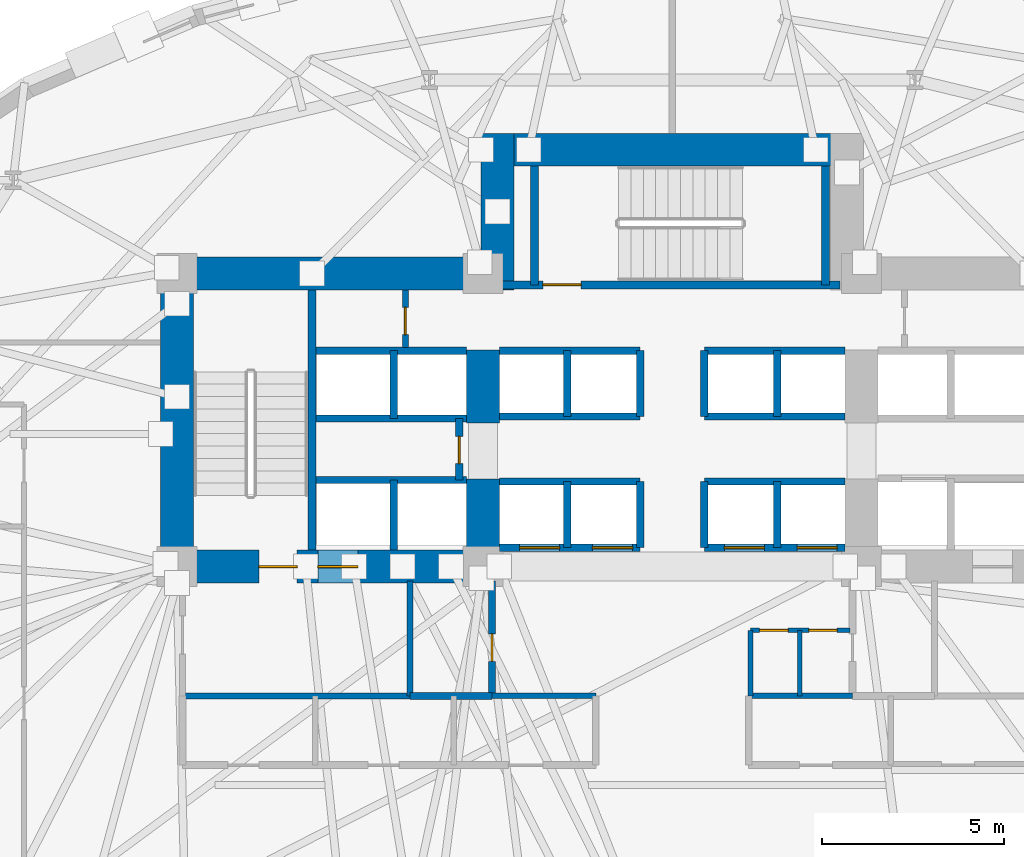
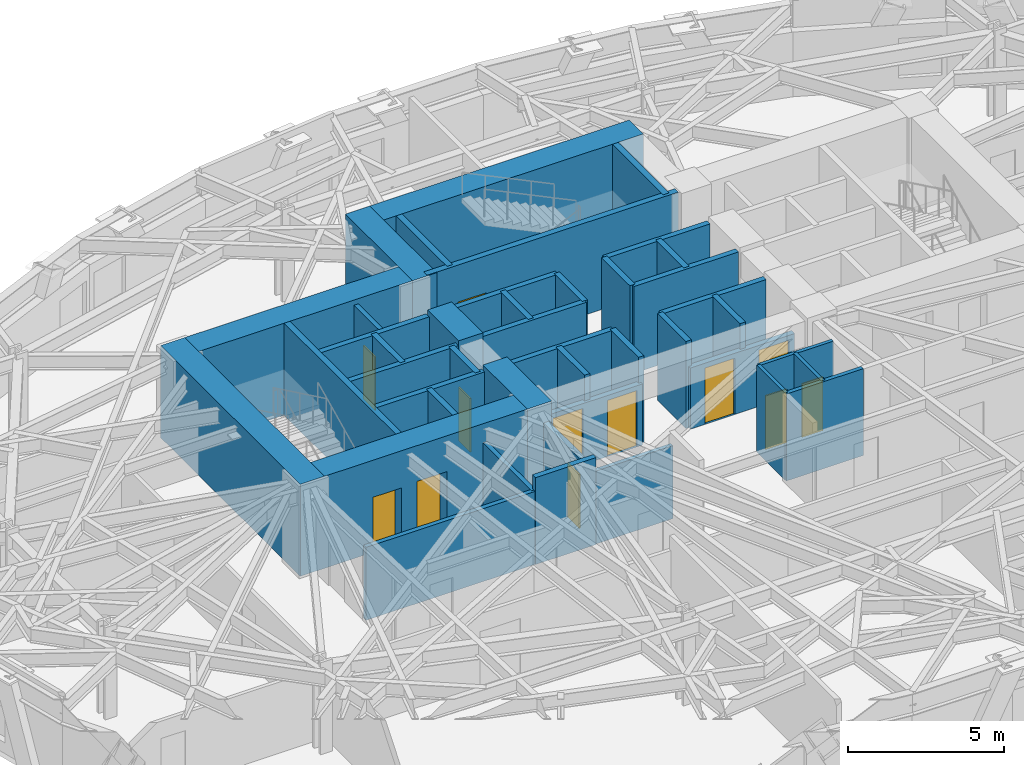
# One storey, part 7 of 14: 43 walls, 12 doors, 12 openings.
"""IFC4 building model written with IfcOpenShell, lengths in metres."""

from ifc_helpers import new_model, si_unit, direction, frame, frame_2d, origin, place, context, subcontext, project, spatial, rectangle, extrude, material, layer, layer_set, type_object, element, fill, save


model = new_model("IFC4")

# Units and contexts
model_context = context("Model", 3, precision=1e-05, world=origin(), true_north=direction((0.0, 1.0)))
body_context = subcontext(model_context, "Body", "Model", "MODEL_VIEW")
ifc_project = project(units=[si_unit("LENGTHUNIT", "METRE"), si_unit("AREAUNIT", "SQUARE_METRE"), si_unit("VOLUMEUNIT", "CUBIC_METRE"), si_unit("PLANEANGLEUNIT", "RADIAN"), si_unit("MASSUNIT", "GRAM", prefix="KILO")], contexts=[model_context])

# Site, building, storey
site_placement = place(None, origin())
site = spatial("IfcSite", under=ifc_project, at=site_placement, CompositionType="ELEMENT")
building_placement = place(site_placement, origin())
building = spatial("IfcBuilding", under=site, at=building_placement, Name="Keldmark Tower", CompositionType="ELEMENT")
storey_placement = place(building_placement, frame((0.0, 0.0, 41.39990234375)))
storey = spatial("IfcBuildingStorey", under=building, at=storey_placement, Name="L10", CompositionType="ELEMENT", Elevation=41.39990234375)

# Wall, openings, doors
ifc_material_1 = material(Name="Acoustic Gypsum Board Interior Partition", Category="gypsum")
ifc_layer_1 = layer(ifc_material_1, 0.1298828125)
ifc_layer_set_1 = layer_set([ifc_layer_1], Name="Acoustic Gypsum Board Interior Partition")
wall_type_1 = type_object("IfcWallType", Name="Interior Partition 130 mm", PredefinedType="PARTITIONING", material=ifc_layer_set_1)
wall_1_placement = place(storey_placement, frame((2.14990234375, -0.35009765625, 0.0), z_axis=(0.0, 0.0, 1.0), x_axis=(1.0, 0.0, 0.0)))
wall_1 = element("IfcWall", 1, at=wall_1_placement, inside=storey, type_object=wall_type_1, Name="L10 Interior Partition 130 mm CSC-E-N", PredefinedType="PARTITIONING", context=body_context, shape_type="SweptSolid", body=[
    extrude(rectangle(XDim=2.72998046875, YDim=0.1298828125, at=frame_2d((1.364990234375, 0.0))), origin(), (0.0, 0.0, 1.0), 3.400146484375),
])
opening_1_placement = place(wall_1_placement, frame((0.25, 0.0, 0.0)))
opening_1 = element("IfcOpeningElement", 2, at=opening_1_placement, cuts=wall_1, Name="Opening D-CL078", PredefinedType="OPENING", context=body_context, shape_type="SweptSolid", body=[
    extrude(rectangle(XDim=0.780029296875, YDim=2.10009765625, at=frame_2d((0.39013671875, 1.050048828125))), frame((0.0, 0.074951171875, 0.0), z_axis=(0.0, -1.0, 0.0), x_axis=(1.0, 0.0, 0.0)), (0.0, 0.0, 1.0), 0.14990234375),
])
opening_2_placement = place(wall_1_placement, frame((1.60009765625, 0.0, 0.0)))
opening_2 = element("IfcOpeningElement", 3, at=opening_2_placement, cuts=wall_1, Name="Opening D-CL078", PredefinedType="OPENING", context=body_context, shape_type="SweptSolid", body=[
    extrude(rectangle(XDim=0.780029296875, YDim=2.10009765625, at=frame_2d((0.39013671875, 1.050048828125))), frame((0.0, 0.074951171875, 0.0), z_axis=(0.0, -1.0, 0.0), x_axis=(1.0, 0.0, 0.0)), (0.0, 0.0, 1.0), 0.14990234375),
])
ifc_material_2 = material(Name="Flush Utility Closet Timber Door", Category="wood")
door_type_1 = type_object("IfcDoorType", Name="Closet Door 780x2100", OperationType="NOTDEFINED", PredefinedType="DOOR", material=ifc_material_2)
door_1_placement = place(opening_1_placement, origin())
door_1 = element("IfcDoor", 4, at=door_1_placement, inside=storey, type_object=door_type_1, Name="L10 Closet Door 780x2100 D-CSCE1-L10", OperationType="SINGLE_SWING_RIGHT", OverallHeight=2.10009765625, OverallWidth=0.780029296875, PredefinedType="DOOR", context=body_context, shape_type="SweptSolid", body=[
    extrude(rectangle(XDim=0.780029296875, YDim=2.10009765625, at=frame_2d((0.39013671875, 1.050048828125))), frame((0.0, 0.02490234375, 0.0), z_axis=(0.0, -1.0, 0.0), x_axis=(1.0, 0.0, 0.0)), (0.0, 0.0, 1.0), 0.050048828125),
])
fill(opening_1, door_1)
door_2_placement = place(opening_2_placement, origin())
door_2 = element("IfcDoor", 5, at=door_2_placement, inside=storey, type_object=door_type_1, Name="L10 Closet Door 780x2100 D-CSCE2-L10", OperationType="SINGLE_SWING_RIGHT", OverallHeight=2.10009765625, OverallWidth=0.780029296875, PredefinedType="DOOR", context=body_context, shape_type="SweptSolid", body=[
    extrude(rectangle(XDim=0.780029296875, YDim=2.10009765625, at=frame_2d((0.39013671875, 1.050048828125))), frame((0.0, 0.02490234375, 0.0), z_axis=(0.0, -1.0, 0.0), x_axis=(1.0, 0.0, 0.0)), (0.0, 0.0, 1.0), 0.050048828125),
])
fill(opening_2, door_2)

# Walls
for number, where, z_axis, x_axis, name in (
    (6, (2.14990234375, -2.14990234375, 0.0), (0.0, 0.0, 1.0), (0.0, 1.0, 0.0), "L10 Interior Partition 130 mm CSC-E-W"),
    (7, (3.5, -2.14990234375, 0.0), (0.0, 0.0, 1.0), (0.0, 1.0, 0.0), "L10 Interior Partition 130 mm CSC-E-M"),
):
    element("IfcWall", number, at=place(storey_placement, frame(where, z_axis=z_axis, x_axis=x_axis)), inside=storey, type_object=wall_type_1, Name=name, PredefinedType="PARTITIONING", context=body_context, shape_type="SweptSolid", body=[
        extrude(rectangle(XDim=1.7998046875, YDim=0.1298828125, at=frame_2d((0.89990234375, 0.0))), origin(), (0.0, 0.0, 1.0), 3.400146484375),
    ])
ifc_material_3 = material(Name="Concrete C70/85", Category="concrete")
ifc_layer_2 = layer(ifc_material_3, 0.89990234375)
ifc_layer_set_2 = layer_set([ifc_layer_2], Name="Concrete C70/85")
wall_type_2 = type_object("IfcWallType", Name="Lower Core Shear Wall 900 mm", PredefinedType="SHEAR", material=ifc_layer_set_2)
wall_2_placement = place(storey_placement, frame((-13.60009765625, 0.949951171875, 0.0), z_axis=(0.0, 0.0, 1.0), x_axis=(0.0, 1.0, 0.0)))
element("IfcWall", 8, at=wall_2_placement, inside=storey, type_object=wall_type_2, Name="L10 West Core Outer Shear Wall", PredefinedType="SHEAR", context=body_context, shape_type="SweptSolid", body=[
    extrude(rectangle(XDim=8.949951171875, YDim=0.89990234375, at=frame_2d((4.47509765625, 0.0))), origin(), (0.0, 0.0, 1.0), 3.60009765625),
])
wall_3_placement = place(storey_placement, frame((-14.050048828125, 9.449951171875, 0.0), z_axis=(0.0, 0.0, 1.0), x_axis=(1.0, 0.0, 0.0)))
element("IfcWall", 9, at=wall_3_placement, inside=storey, type_object=wall_type_2, Name="L10 West Core North Shear Wall", PredefinedType="SHEAR", context=body_context, shape_type="SweptSolid", body=[
    extrude(rectangle(XDim=9.699951171875, YDim=0.89990234375, at=frame_2d((4.85009765625, 0.0))), origin(), (0.0, 0.0, 1.0), 3.60009765625),
])

# Wall, openings, doors
wall_4_placement = place(storey_placement, frame((-4.75, 1.39990234375, 0.0), z_axis=(0.0, 0.0, 1.0), x_axis=(-1.0, 0.0, 0.0)))
wall_4 = element("IfcWall", 10, at=wall_4_placement, inside=storey, type_object=wall_type_2, Name="L10 West Core South Shear Wall", PredefinedType="SHEAR", context=body_context, shape_type="SweptSolid", body=[
    extrude(rectangle(XDim=9.300048828125, YDim=0.89990234375, at=frame_2d((4.64990234375, 0.0))), origin(), (0.0, 0.0, 1.0), 3.60009765625),
])
opening_3_placement = place(wall_4_placement, frame((5.550048828125, 0.0, 0.0)))
opening_3 = element("IfcOpeningElement", 11, at=opening_3_placement, cuts=wall_4, Name="Opening D-ST105", PredefinedType="OPENING", context=body_context, shape_type="SweptSolid", body=[
    extrude(rectangle(XDim=1.050048828125, YDim=2.14990234375, at=frame_2d((0.52490234375, 1.074951171875))), frame((0.0, 0.4599609375, 0.0), z_axis=(0.0, -1.0, 0.0), x_axis=(1.0, 0.0, 0.0)), (0.0, 0.0, 1.0), 0.919921875),
])
opening_4_placement = place(wall_4_placement, frame((3.8798828125, 0.0, 0.0)))
opening_4 = element("IfcOpeningElement", 12, at=opening_4_placement, cuts=wall_4, Name="Opening LD-110", PredefinedType="OPENING", context=body_context, shape_type="SweptSolid", body=[
    extrude(rectangle(XDim=1.10009765625, YDim=2.199951171875, at=frame_2d((0.550048828125, 1.10009765625))), frame((0.0, 0.4599609375, 0.0), z_axis=(0.0, -1.0, 0.0), x_axis=(1.0, 0.0, 0.0)), (0.0, 0.0, 1.0), 0.919921875),
])
ifc_material_4 = material(Name="Brushed Bronze Hoistway Sliding Leaf", Category="metal")
door_type_2 = type_object("IfcDoorType", Name="Lift Landing Sliding Door 1100x2200", OperationType="SLIDING_TO_LEFT", PredefinedType="DOOR", material=ifc_material_4)
door_3_placement = place(opening_4_placement, origin())
door_3 = element("IfcDoor", 13, at=door_3_placement, inside=storey, type_object=door_type_2, Name="L10 Lift Landing Sliding Door 1100x2200 LD-EL-FS1-L10", OperationType="SLIDING_TO_LEFT", OverallHeight=2.199951171875, OverallWidth=1.10009765625, PredefinedType="DOOR", context=body_context, shape_type="SweptSolid", body=[
    extrude(rectangle(XDim=1.10009765625, YDim=2.199951171875, at=frame_2d((0.550048828125, 1.10009765625))), frame((0.0, 0.02490234375, 0.0), z_axis=(0.0, -1.0, 0.0), x_axis=(1.0, 0.0, 0.0)), (0.0, 0.0, 1.0), 0.050048828125),
])
fill(opening_4, door_3)
ifc_material_5 = material(Name="Hollow Metal Fire-Rated Door Assembly", Category="metal")
door_type_3 = type_object("IfcDoorType", Name="Stair Fire Door 1050x2150", OperationType="NOTDEFINED", PredefinedType="DOOR", material=ifc_material_5)
door_4_placement = place(opening_3_placement, origin())
door_4 = element("IfcDoor", 14, at=door_4_placement, inside=storey, type_object=door_type_3, Name="L10 Stair Fire Door 1050x2150 D-ST1-L10", OperationType="SINGLE_SWING_RIGHT", OverallHeight=2.14990234375, OverallWidth=1.050048828125, PredefinedType="DOOR", context=body_context, shape_type="SweptSolid", body=[
    extrude(rectangle(XDim=1.050048828125, YDim=2.14990234375, at=frame_2d((0.52490234375, 1.074951171875))), frame((0.0, 0.02490234375, 0.0), z_axis=(0.0, -1.0, 0.0), x_axis=(1.0, 0.0, 0.0)), (0.0, 0.0, 1.0), 0.050048828125),
])
fill(opening_3, door_4)

# Walls
wall_5_placement = place(storey_placement, frame((-5.199951171875, 0.949951171875, 0.0), z_axis=(0.0, 0.0, 1.0), x_axis=(0.0, 1.0, 0.0)))
element("IfcWall", 15, at=wall_5_placement, inside=storey, type_object=wall_type_2, Name="L10 West Core Inner Shear Pier South", PredefinedType="SHEAR", context=body_context, shape_type="SweptSolid", body=[
    extrude(rectangle(XDim=2.85009765625, YDim=0.89990234375, at=frame_2d((1.425048828125, 0.0))), origin(), (0.0, 0.0, 1.0), 3.60009765625),
])
wall_6_placement = place(storey_placement, frame((-5.199951171875, 5.35009765625, 0.0), z_axis=(0.0, 0.0, 1.0), x_axis=(0.0, 1.0, 0.0)))
element("IfcWall", 16, at=wall_6_placement, inside=storey, type_object=wall_type_2, Name="L10 West Core Inner Shear Pier North", PredefinedType="SHEAR", context=body_context, shape_type="SweptSolid", body=[
    extrude(rectangle(XDim=2.0, YDim=0.89990234375, at=frame_2d((1.0, 0.0))), origin(), (0.0, 0.0, 1.0), 3.60009765625),
])
wall_7_placement = place(storey_placement, frame((-5.25, 12.85009765625, 0.0), z_axis=(0.0, 0.0, 1.0), x_axis=(1.0, 0.0, 0.0)))
element("IfcWall", 17, at=wall_7_placement, inside=storey, type_object=wall_type_2, Name="L10 North Core Shear Wall", PredefinedType="SHEAR", context=body_context, shape_type="SweptSolid", body=[
    extrude(rectangle(XDim=10.5, YDim=0.89990234375, at=frame_2d((5.25, 0.0))), origin(), (0.0, 0.0, 1.0), 3.60009765625),
])
wall_8_placement = place(storey_placement, frame((-4.800048828125, 9.0, 0.0), z_axis=(0.0, 0.0, 1.0), x_axis=(0.0, 1.0, 0.0)))
element("IfcWall", 18, at=wall_8_placement, inside=storey, type_object=wall_type_2, Name="L10 North Core West Shear Wall", PredefinedType="SHEAR", context=body_context, shape_type="SweptSolid", body=[
    extrude(rectangle(XDim=4.300048828125, YDim=0.89990234375, at=frame_2d((2.14990234375, 0.0))), origin(), (0.0, 0.0, 1.0), 3.60009765625),
])
ifc_material_6 = material(Name="Type X Fire-Rated Gypsum Partition Assembly", Category="gypsum")
ifc_layer_3 = layer(ifc_material_6, 0.1650390625)
ifc_layer_set_3 = layer_set([ifc_layer_3], Name="Type X Fire-Rated Gypsum Partition Assembly")
wall_type_3 = type_object("IfcWallType", Name="Rated Partition 165 mm", PredefinedType="PARTITIONING", material=ifc_layer_set_3)
wall_9_placement = place(storey_placement, frame((-13.449951171875, -2.14990234375, 0.0), z_axis=(0.0, 0.0, 1.0), x_axis=(1.0, 0.0, 0.0)))
element("IfcWall", 19, at=wall_9_placement, inside=storey, type_object=wall_type_3, Name="L10 Rated Partition 165 mm FSAE-W-S", PredefinedType="PARTITIONING", context=body_context, shape_type="SweptSolid", body=[
    extrude(rectangle(XDim=6.25, YDim=0.1650390625, at=frame_2d((3.125, 0.0))), origin(), (0.0, 0.0, 1.0), 2.85302734375),
])
wall_10_placement = place(storey_placement, frame((-7.199951171875, -2.14990234375, 0.0), z_axis=(0.0, 0.0, 1.0), x_axis=(0.0, 1.0, 0.0)))
element("IfcWall", 20, at=wall_10_placement, inside=storey, type_object=wall_type_3, Name="L10 Rated Partition 165 mm FSAE-W-E", PredefinedType="PARTITIONING", context=body_context, shape_type="SweptSolid", body=[
    extrude(rectangle(XDim=3.14990234375, YDim=0.1650390625, at=frame_2d((1.574951171875, 0.0))), origin(), (0.0, 0.0, 1.0), 2.85302734375),
])

# Wall, opening, door
wall_11_placement = place(storey_placement, frame((-7.330078125, 7.419921875, 0.0), z_axis=(0.0, 0.0, 1.0), x_axis=(0.0, 1.0, 0.0)))
wall_11 = element("IfcWall", 21, at=wall_11_placement, inside=storey, type_object=wall_type_3, Name="L10 Rated Partition 165 mm CS-NW-E", PredefinedType="PARTITIONING", context=body_context, shape_type="SweptSolid", body=[
    extrude(rectangle(XDim=1.580078125, YDim=0.1650390625, at=frame_2d((0.7900390625, 0.0))), origin(), (0.0, 0.0, 1.0), 3.400146484375),
])
opening_5_placement = place(wall_11_placement, frame((0.35009765625, 0.0, 0.0)))
opening_5 = element("IfcOpeningElement", 22, at=opening_5_placement, cuts=wall_11, Name="Opening D-RS075", PredefinedType="OPENING", context=body_context, shape_type="SweptSolid", body=[
    extrude(rectangle(XDim=0.75, YDim=2.10009765625, at=frame_2d((0.375, 1.050048828125))), frame((0.0, 0.092529296875, 0.0), z_axis=(0.0, -1.0, 0.0), x_axis=(1.0, 0.0, 0.0)), (0.0, 0.0, 1.0), 0.18505859375),
])
ifc_material_7 = material(Name="Galvanized Fire-Rated Access Leaf", Category="metal")
door_type_4 = type_object("IfcDoorType", Name="Riser Access Door 750x2100", OperationType="NOTDEFINED", PredefinedType="DOOR", material=ifc_material_7)
door_5_placement = place(opening_5_placement, origin())
door_5 = element("IfcDoor", 23, at=door_5_placement, inside=storey, type_object=door_type_4, Name="L10 Riser Access Door 750x2100 D-CSNW1-L10", OperationType="SINGLE_SWING_RIGHT", OverallHeight=2.10009765625, OverallWidth=0.75, PredefinedType="DOOR", context=body_context, shape_type="SweptSolid", body=[
    extrude(rectangle(XDim=0.75, YDim=2.10009765625, at=frame_2d((0.375, 1.050048828125))), frame((0.0, 0.02490234375, 0.0), z_axis=(0.0, -1.0, 0.0), x_axis=(1.0, 0.0, 0.0)), (0.0, 0.0, 1.0), 0.050048828125),
])
fill(opening_5, door_5)

# Wall
ifc_material_8 = material(Name="Fire-Resistant Type X Gypsum Shaftliner Coreboard", Category="gypsum")
ifc_layer_4 = layer(ifc_material_8, 0.199951171875)
ifc_layer_set_4 = layer_set([ifc_layer_4], Name="Fire-Resistant Type X Gypsum Shaftliner Coreboard")
wall_type_4 = type_object("IfcWallType", Name="Shaft Wall 200 mm", PredefinedType="SOLIDWALL", material=ifc_layer_set_4)
wall_12_placement = place(storey_placement, frame((-7.199951171875, -2.14990234375, 0.0), z_axis=(0.0, 0.0, 1.0), x_axis=(1.0, 0.0, 0.0)))
element("IfcWall", 24, at=wall_12_placement, inside=storey, type_object=wall_type_4, Name="L10 Shaft Wall 200 mm RIS-SW-S", PredefinedType="SOLIDWALL", context=body_context, shape_type="SweptSolid", body=[
    extrude(rectangle(XDim=2.25, YDim=0.199951171875, at=frame_2d((1.125, 0.0))), origin(), (0.0, 0.0, 1.0), 3.400146484375),
])

# Wall, opening, door
wall_13_placement = place(storey_placement, frame((-4.949951171875, -2.14990234375, 0.0), z_axis=(0.0, 0.0, 1.0), x_axis=(0.0, 1.0, 0.0)))
wall_13 = element("IfcWall", 25, at=wall_13_placement, inside=storey, type_object=wall_type_4, Name="L10 Shaft Wall 200 mm RIS-SW-E", PredefinedType="SOLIDWALL", context=body_context, shape_type="SweptSolid", body=[
    extrude(rectangle(XDim=3.14990234375, YDim=0.199951171875, at=frame_2d((1.574951171875, 0.0))), origin(), (0.0, 0.0, 1.0), 2.85302734375),
])
opening_6_placement = place(wall_13_placement, frame((0.949951171875, 0.0, 0.0)))
opening_6 = element("IfcOpeningElement", 26, at=opening_6_placement, cuts=wall_13, Name="Opening D-RS075", PredefinedType="OPENING", context=body_context, shape_type="SweptSolid", body=[
    extrude(rectangle(XDim=0.75, YDim=2.10009765625, at=frame_2d((0.375, 1.050048828125))), frame((0.0, 0.10986328125, 0.0), z_axis=(0.0, -1.0, 0.0), x_axis=(1.0, 0.0, 0.0)), (0.0, 0.0, 1.0), 0.219970703125),
])
door_6_placement = place(opening_6_placement, origin())
door_6 = element("IfcDoor", 27, at=door_6_placement, inside=storey, type_object=door_type_4, Name="L10 Riser Access Door 750x2100 D-RISSW-L10", OperationType="SINGLE_SWING_RIGHT", OverallHeight=2.10009765625, OverallWidth=0.75, PredefinedType="DOOR", context=body_context, shape_type="SweptSolid", body=[
    extrude(rectangle(XDim=0.75, YDim=2.10009765625, at=frame_2d((0.375, 1.050048828125))), frame((0.0, 0.02490234375, 0.0), z_axis=(0.0, -1.0, 0.0), x_axis=(1.0, 0.0, 0.0)), (0.0, 0.0, 1.0), 0.050048828125),
])
fill(opening_6, door_6)

# Walls
wall_14_placement = place(storey_placement, frame((-9.780029296875, 3.780029296875, 0.0), z_axis=(0.0, 0.0, 1.0), x_axis=(1.0, 0.0, 0.0)))
element("IfcWall", 28, at=wall_14_placement, inside=storey, type_object=wall_type_4, Name="L10 Shaft Wall 200 mm HW-W-S", PredefinedType="SOLIDWALL", context=body_context, shape_type="SweptSolid", body=[
    extrude(rectangle(XDim=4.130126953125, YDim=0.199951171875, at=frame_2d((2.06494140625, 0.0))), origin(), (0.0, 0.0, 1.0), 3.400146484375),
])
wall_15_placement = place(storey_placement, frame((-7.64990234375, 1.85009765625, 0.0), z_axis=(0.0, 0.0, 1.0), x_axis=(0.0, 1.0, 0.0)))
element("IfcWall", 29, at=wall_15_placement, inside=storey, type_object=wall_type_4, Name="L10 Shaft Wall 200 mm HW-W-M", PredefinedType="SOLIDWALL", context=body_context, shape_type="SweptSolid", body=[
    extrude(rectangle(XDim=1.929931640625, YDim=0.199951171875, at=frame_2d((0.96484375, 0.0))), origin(), (0.0, 0.0, 1.0), 3.400146484375),
])
for number, where, z_axis, x_axis, name in (
    (30, (-9.780029296875, 5.469970703125, 0.0), (0.0, 0.0, 1.0), (1.0, 0.0, 0.0), "L10 Shaft Wall 200 mm HW-W-N"),
    (31, (-9.780029296875, 7.330078125, 0.0), (0.0, 0.0, 1.0), (1.0, 0.0, 0.0), "L10 Shaft Wall 200 mm HW-W-TOP"),
):
    element("IfcWall", number, at=place(storey_placement, frame(where, z_axis=z_axis, x_axis=x_axis)), inside=storey, type_object=wall_type_4, Name=name, PredefinedType="SOLIDWALL", context=body_context, shape_type="SweptSolid", body=[
        extrude(rectangle(XDim=4.130126953125, YDim=0.199951171875, at=frame_2d((2.06494140625, 0.0))), origin(), (0.0, 0.0, 1.0), 3.400146484375),
    ])
wall_16_placement = place(storey_placement, frame((-7.64990234375, 5.469970703125, 0.0), z_axis=(0.0, 0.0, 1.0), x_axis=(0.0, 1.0, 0.0)))
element("IfcWall", 32, at=wall_16_placement, inside=storey, type_object=wall_type_4, Name="L10 Shaft Wall 200 mm HW-W-NM", PredefinedType="SOLIDWALL", context=body_context, shape_type="SweptSolid", body=[
    extrude(rectangle(XDim=1.860107421875, YDim=0.199951171875, at=frame_2d((0.93017578125, 0.0))), origin(), (0.0, 0.0, 1.0), 3.400146484375),
])

# Wall, opening, door
wall_17_placement = place(storey_placement, frame((-5.85009765625, 3.780029296875, 0.0), z_axis=(0.0, 0.0, 1.0), x_axis=(0.0, 1.0, 0.0)))
wall_17 = element("IfcWall", 33, at=wall_17_placement, inside=storey, type_object=wall_type_4, Name="L10 Shaft Wall 200 mm HW-W-CLOSE", PredefinedType="SOLIDWALL", context=body_context, shape_type="SweptSolid", body=[
    extrude(rectangle(XDim=1.68994140625, YDim=0.199951171875, at=frame_2d((0.844970703125, 0.0))), origin(), (0.0, 0.0, 1.0), 3.400146484375),
])
opening_7_placement = place(wall_17_placement, frame((0.449951171875, 0.0, 0.0)))
opening_7 = element("IfcOpeningElement", 34, at=opening_7_placement, cuts=wall_17, Name="Opening D-RS075", PredefinedType="OPENING", context=body_context, shape_type="SweptSolid", body=[
    extrude(rectangle(XDim=0.75, YDim=2.10009765625, at=frame_2d((0.375, 1.050048828125))), frame((0.0, 0.10986328125, 0.0), z_axis=(0.0, -1.0, 0.0), x_axis=(1.0, 0.0, 0.0)), (0.0, 0.0, 1.0), 0.219970703125),
])
door_7_placement = place(opening_7_placement, origin())
door_7 = element("IfcDoor", 35, at=door_7_placement, inside=storey, type_object=door_type_4, Name="L10 Riser Access Door 750x2100 D-RISHW-L10", OperationType="SINGLE_SWING_RIGHT", OverallHeight=2.10009765625, OverallWidth=0.75, PredefinedType="DOOR", context=body_context, shape_type="SweptSolid", body=[
    extrude(rectangle(XDim=0.75, YDim=2.10009765625, at=frame_2d((0.375, 1.050048828125))), frame((0.0, 0.02490234375, 0.0), z_axis=(0.0, -1.0, 0.0), x_axis=(1.0, 0.0, 0.0)), (0.0, 0.0, 1.0), 0.050048828125),
])
fill(opening_7, door_7)

# Wall, openings, doors
wall_18_placement = place(storey_placement, frame((-4.739990234375, 1.919921875, 0.0), z_axis=(0.0, 0.0, 1.0), x_axis=(1.0, 0.0, 0.0)))
wall_18 = element("IfcWall", 36, at=wall_18_placement, inside=storey, type_object=wall_type_4, Name="L10 Shaft Wall 200 mm LOW-S-W", PredefinedType="SOLIDWALL", context=body_context, shape_type="SweptSolid", body=[
    extrude(rectangle(XDim=3.860107421875, YDim=0.199951171875, at=frame_2d((1.93017578125, 0.0))), origin(), (0.0, 0.0, 1.0), 2.39013671875),
])
opening_8_placement = place(wall_18_placement, frame((0.550048828125, 0.0, 0.0)))
opening_8 = element("IfcOpeningElement", 37, at=opening_8_placement, cuts=wall_18, Name="Opening LD-110", PredefinedType="OPENING", context=body_context, shape_type="SweptSolid", body=[
    extrude(rectangle(XDim=1.10009765625, YDim=2.199951171875, at=frame_2d((0.550048828125, 1.10009765625))), frame((0.0, 0.10986328125, 0.0), z_axis=(0.0, -1.0, 0.0), x_axis=(1.0, 0.0, 0.0)), (0.0, 0.0, 1.0), 0.219970703125),
])
opening_9_placement = place(wall_18_placement, frame((2.550048828125, 0.0, 0.0)))
opening_9 = element("IfcOpeningElement", 38, at=opening_9_placement, cuts=wall_18, Name="Opening LD-110", PredefinedType="OPENING", context=body_context, shape_type="SweptSolid", body=[
    extrude(rectangle(XDim=1.10009765625, YDim=2.199951171875, at=frame_2d((0.550048828125, 1.10009765625))), frame((0.0, 0.10986328125, 0.0), z_axis=(0.0, -1.0, 0.0), x_axis=(1.0, 0.0, 0.0)), (0.0, 0.0, 1.0), 0.219970703125),
])
door_8_placement = place(opening_8_placement, origin())
door_8 = element("IfcDoor", 39, at=door_8_placement, inside=storey, type_object=door_type_2, Name="L10 Lift Landing Sliding Door 1100x2200 LD-EL-L1-L10", OperationType="SLIDING_TO_LEFT", OverallHeight=2.199951171875, OverallWidth=1.10009765625, PredefinedType="DOOR", context=body_context, shape_type="SweptSolid", body=[
    extrude(rectangle(XDim=1.10009765625, YDim=2.199951171875, at=frame_2d((0.550048828125, 1.10009765625))), frame((0.0, 0.02490234375, 0.0), z_axis=(0.0, -1.0, 0.0), x_axis=(1.0, 0.0, 0.0)), (0.0, 0.0, 1.0), 0.050048828125),
])
fill(opening_8, door_8)
door_9_placement = place(opening_9_placement, origin())
door_9 = element("IfcDoor", 40, at=door_9_placement, inside=storey, type_object=door_type_2, Name="L10 Lift Landing Sliding Door 1100x2200 LD-EL-L2-L10", OperationType="SLIDING_TO_LEFT", OverallHeight=2.199951171875, OverallWidth=1.10009765625, PredefinedType="DOOR", context=body_context, shape_type="SweptSolid", body=[
    extrude(rectangle(XDim=1.10009765625, YDim=2.199951171875, at=frame_2d((0.550048828125, 1.10009765625))), frame((0.0, 0.02490234375, 0.0), z_axis=(0.0, -1.0, 0.0), x_axis=(1.0, 0.0, 0.0)), (0.0, 0.0, 1.0), 0.050048828125),
])
fill(opening_9, door_9)

wall_19_placement = place(storey_placement, frame((0.8798828125, 1.919921875, 0.0), z_axis=(0.0, 0.0, 1.0), x_axis=(1.0, 0.0, 0.0)))
wall_19 = element("IfcWall", 41, at=wall_19_placement, inside=storey, type_object=wall_type_4, Name="L10 Shaft Wall 200 mm LOW-S-E", PredefinedType="SOLIDWALL", context=body_context, shape_type="SweptSolid", body=[
    extrude(rectangle(XDim=3.860107421875, YDim=0.199951171875, at=frame_2d((1.93017578125, 0.0))), origin(), (0.0, 0.0, 1.0), 2.39013671875),
])
opening_10_placement = place(wall_19_placement, frame((0.550048828125, 0.0, 0.0)))
opening_10 = element("IfcOpeningElement", 42, at=opening_10_placement, cuts=wall_19, Name="Opening LD-110", PredefinedType="OPENING", context=body_context, shape_type="SweptSolid", body=[
    extrude(rectangle(XDim=1.10009765625, YDim=2.199951171875, at=frame_2d((0.550048828125, 1.10009765625))), frame((0.0, 0.10986328125, 0.0), z_axis=(0.0, -1.0, 0.0), x_axis=(1.0, 0.0, 0.0)), (0.0, 0.0, 1.0), 0.219970703125),
])
opening_11_placement = place(wall_19_placement, frame((2.550048828125, 0.0, 0.0)))
opening_11 = element("IfcOpeningElement", 43, at=opening_11_placement, cuts=wall_19, Name="Opening LD-110", PredefinedType="OPENING", context=body_context, shape_type="SweptSolid", body=[
    extrude(rectangle(XDim=1.10009765625, YDim=2.199951171875, at=frame_2d((0.550048828125, 1.10009765625))), frame((0.0, 0.10986328125, 0.0), z_axis=(0.0, -1.0, 0.0), x_axis=(1.0, 0.0, 0.0)), (0.0, 0.0, 1.0), 0.219970703125),
])
door_10_placement = place(opening_10_placement, origin())
door_10 = element("IfcDoor", 44, at=door_10_placement, inside=storey, type_object=door_type_2, Name="L10 Lift Landing Sliding Door 1100x2200 LD-EL-L3-L10", OperationType="SLIDING_TO_LEFT", OverallHeight=2.199951171875, OverallWidth=1.10009765625, PredefinedType="DOOR", context=body_context, shape_type="SweptSolid", body=[
    extrude(rectangle(XDim=1.10009765625, YDim=2.199951171875, at=frame_2d((0.550048828125, 1.10009765625))), frame((0.0, 0.02490234375, 0.0), z_axis=(0.0, -1.0, 0.0), x_axis=(1.0, 0.0, 0.0)), (0.0, 0.0, 1.0), 0.050048828125),
])
fill(opening_10, door_10)
door_11_placement = place(opening_11_placement, origin())
door_11 = element("IfcDoor", 45, at=door_11_placement, inside=storey, type_object=door_type_2, Name="L10 Lift Landing Sliding Door 1100x2200 LD-EL-L4-L10", OperationType="SLIDING_TO_LEFT", OverallHeight=2.199951171875, OverallWidth=1.10009765625, PredefinedType="DOOR", context=body_context, shape_type="SweptSolid", body=[
    extrude(rectangle(XDim=1.10009765625, YDim=2.199951171875, at=frame_2d((0.550048828125, 1.10009765625))), frame((0.0, 0.02490234375, 0.0), z_axis=(0.0, -1.0, 0.0), x_axis=(1.0, 0.0, 0.0)), (0.0, 0.0, 1.0), 0.050048828125),
])
fill(opening_11, door_11)

# Walls
for number, where, z_axis, x_axis, name in (
    (46, (-4.739990234375, 3.739990234375, 0.0), (0.0, 0.0, 1.0), (1.0, 0.0, 0.0), "L10 Shaft Wall 200 mm LOW-N-W"),
    (47, (0.8798828125, 3.739990234375, 0.0), (0.0, 0.0, 1.0), (1.0, 0.0, 0.0), "L10 Shaft Wall 200 mm LOW-N-E"),
):
    element("IfcWall", number, at=place(storey_placement, frame(where, z_axis=z_axis, x_axis=x_axis)), inside=storey, type_object=wall_type_4, Name=name, PredefinedType="SOLIDWALL", context=body_context, shape_type="SweptSolid", body=[
        extrude(rectangle(XDim=3.860107421875, YDim=0.199951171875, at=frame_2d((1.93017578125, 0.0))), origin(), (0.0, 0.0, 1.0), 3.400146484375),
    ])
for number, where, z_axis, x_axis, name in (
    (48, (-2.8798828125, 1.919921875, 0.0), (0.0, 0.0, 1.0), (0.0, 1.0, 0.0), "L10 Shaft Wall 200 mm LOW-M-W"),
    (49, (2.8798828125, 1.919921875, 0.0), (0.0, 0.0, 1.0), (0.0, 1.0, 0.0), "L10 Shaft Wall 200 mm LOW-M-E"),
    (50, (-0.8798828125, 1.919921875, 0.0), (0.0, 0.0, 1.0), (0.0, 1.0, 0.0), "L10 Shaft Wall 200 mm LOW-C-W"),
    (51, (0.8798828125, 1.919921875, 0.0), (0.0, 0.0, 1.0), (0.0, 1.0, 0.0), "L10 Shaft Wall 200 mm LOW-C-E"),
):
    element("IfcWall", number, at=place(storey_placement, frame(where, z_axis=z_axis, x_axis=x_axis)), inside=storey, type_object=wall_type_4, Name=name, PredefinedType="SOLIDWALL", context=body_context, shape_type="SweptSolid", body=[
        extrude(rectangle(XDim=1.820068359375, YDim=0.199951171875, at=frame_2d((0.91015625, 0.0))), origin(), (0.0, 0.0, 1.0), 3.400146484375),
    ])
for number, where, z_axis, x_axis, name in (
    (52, (-4.739990234375, 5.52001953125, 0.0), (0.0, 0.0, 1.0), (1.0, 0.0, 0.0), "L10 Shaft Wall 200 mm MID-S-W"),
    (53, (0.8798828125, 5.52001953125, 0.0), (0.0, 0.0, 1.0), (1.0, 0.0, 0.0), "L10 Shaft Wall 200 mm MID-S-E"),
    (54, (-4.739990234375, 7.330078125, 0.0), (0.0, 0.0, 1.0), (1.0, 0.0, 0.0), "L10 Shaft Wall 200 mm MID-N-W"),
    (55, (0.8798828125, 7.330078125, 0.0), (0.0, 0.0, 1.0), (1.0, 0.0, 0.0), "L10 Shaft Wall 200 mm MID-N-E"),
):
    element("IfcWall", number, at=place(storey_placement, frame(where, z_axis=z_axis, x_axis=x_axis)), inside=storey, type_object=wall_type_4, Name=name, PredefinedType="SOLIDWALL", context=body_context, shape_type="SweptSolid", body=[
        extrude(rectangle(XDim=3.860107421875, YDim=0.199951171875, at=frame_2d((1.93017578125, 0.0))), origin(), (0.0, 0.0, 1.0), 3.400146484375),
    ])
for number, where, z_axis, x_axis, name in (
    (56, (-2.8798828125, 5.52001953125, 0.0), (0.0, 0.0, 1.0), (0.0, 1.0, 0.0), "L10 Shaft Wall 200 mm MID-M-W"),
    (57, (2.8798828125, 5.52001953125, 0.0), (0.0, 0.0, 1.0), (0.0, 1.0, 0.0), "L10 Shaft Wall 200 mm MID-M-E"),
    (58, (-0.8798828125, 5.52001953125, 0.0), (0.0, 0.0, 1.0), (0.0, 1.0, 0.0), "L10 Shaft Wall 200 mm MID-C-W"),
    (59, (0.8798828125, 5.52001953125, 0.0), (0.0, 0.0, 1.0), (0.0, 1.0, 0.0), "L10 Shaft Wall 200 mm MID-C-E"),
):
    element("IfcWall", number, at=place(storey_placement, frame(where, z_axis=z_axis, x_axis=x_axis)), inside=storey, type_object=wall_type_4, Name=name, PredefinedType="SOLIDWALL", context=body_context, shape_type="SweptSolid", body=[
        extrude(rectangle(XDim=1.81005859375, YDim=0.199951171875, at=frame_2d((0.905029296875, 0.0))), origin(), (0.0, 0.0, 1.0), 3.400146484375),
    ])
ifc_material_9 = material(Name="Concrete C50/60", Category="concrete")
ifc_layer_5 = layer(ifc_material_9, 0.219970703125)
ifc_layer_set_5 = layer_set([ifc_layer_5], Name="Concrete C50/60")
wall_type_5 = type_object("IfcWallType", Name="Stair Core Shear Wall 220 mm", PredefinedType="SHEAR", material=ifc_layer_set_5)
wall_20_placement = place(storey_placement, frame((-9.889892578125, 1.85009765625, 0.0), z_axis=(0.0, 0.0, 1.0), x_axis=(0.0, 1.0, 0.0)))
element("IfcWall", 60, at=wall_20_placement, inside=storey, type_object=wall_type_5, Name="L10 West Stair Core Shear Wall", PredefinedType="SHEAR", context=body_context, shape_type="SweptSolid", body=[
    extrude(rectangle(XDim=7.14990234375, YDim=0.219970703125, at=frame_2d((3.574951171875, 0.0))), origin(), (0.0, 0.0, 1.0), 3.60009765625),
])

# Wall, opening, door
wall_21_placement = place(storey_placement, frame((-4.699951171875, 9.139892578125, 0.0), z_axis=(0.0, 0.0, 1.0), x_axis=(1.0, 0.0, 0.0)))
wall_21 = element("IfcWall", 61, at=wall_21_placement, inside=storey, type_object=wall_type_5, Name="L10 Central Stair Core South Shear Wall", PredefinedType="SHEAR", context=body_context, shape_type="SweptSolid", body=[
    extrude(rectangle(XDim=9.300048828125, YDim=0.219970703125, at=frame_2d((4.64990234375, 0.0))), origin(), (0.0, 0.0, 1.0), 3.60009765625),
])
opening_12_placement = place(wall_21_placement, frame((1.14990234375, 0.0, 0.0)))
opening_12 = element("IfcOpeningElement", 62, at=opening_12_placement, cuts=wall_21, Name="Opening D-ST105", PredefinedType="OPENING", context=body_context, shape_type="SweptSolid", body=[
    extrude(rectangle(XDim=1.050048828125, YDim=2.14990234375, at=frame_2d((0.52490234375, 1.074951171875))), frame((0.0, 0.119873046875, 0.0), z_axis=(0.0, -1.0, 0.0), x_axis=(1.0, 0.0, 0.0)), (0.0, 0.0, 1.0), 0.239990234375),
])
door_12_placement = place(opening_12_placement, origin())
door_12 = element("IfcDoor", 63, at=door_12_placement, inside=storey, type_object=door_type_3, Name="L10 Stair Fire Door 1050x2150 D-ST3-L10", OperationType="SINGLE_SWING_RIGHT", OverallHeight=2.14990234375, OverallWidth=1.050048828125, PredefinedType="DOOR", context=body_context, shape_type="SweptSolid", body=[
    extrude(rectangle(XDim=1.050048828125, YDim=2.14990234375, at=frame_2d((0.52490234375, 1.074951171875))), frame((0.0, 0.02490234375, 0.0), z_axis=(0.0, -1.0, 0.0), x_axis=(1.0, 0.0, 0.0)), (0.0, 0.0, 1.0), 0.050048828125),
])
fill(opening_12, door_12)

# Walls
for number, where, z_axis, x_axis, name in (
    (64, (-3.784912109375, 9.139892578125, 0.0), (0.0, 0.0, 1.0), (0.0, 1.0, 0.0), "L10 Central Stair Core West Shear Wall"),
    (65, (4.215087890625, 9.139892578125, 0.0), (0.0, 0.0, 1.0), (0.0, 1.0, 0.0), "L10 Central Stair Core East Shear Wall"),
):
    element("IfcWall", number, at=place(storey_placement, frame(where, z_axis=z_axis, x_axis=x_axis)), inside=storey, type_object=wall_type_5, Name=name, PredefinedType="SHEAR", context=body_context, shape_type="SweptSolid", body=[
        extrude(rectangle(XDim=3.260009765625, YDim=0.219970703125, at=frame_2d((1.6298828125, 0.0))), origin(), (0.0, 0.0, 1.0), 3.60009765625),
    ])
ifc_material_10 = material(Name="Moisture-Resistant Gypsum Plumbing Partition", Category="gypsum")
ifc_layer_6 = layer(ifc_material_10, 0.14990234375)
ifc_layer_set_6 = layer_set([ifc_layer_6], Name="Moisture-Resistant Gypsum Plumbing Partition")
wall_type_6 = type_object("IfcWallType", Name="Wet Wall 150 mm", PredefinedType="PLUMBINGWALL", material=ifc_layer_set_6)
wall_22_placement = place(storey_placement, frame((-4.949951171875, -2.14990234375, 0.0), z_axis=(0.0, 0.0, 1.0), x_axis=(1.0, 0.0, 0.0)))
element("IfcWall", 66, at=wall_22_placement, inside=storey, type_object=wall_type_6, Name="L10 Wet Wall 150 mm SPK-W-N", PredefinedType="PLUMBINGWALL", context=body_context, shape_type="SweptSolid", body=[
    extrude(rectangle(XDim=2.849853515625, YDim=0.14990234375, at=frame_2d((1.4248046875, 0.0))), origin(), (0.0, 0.0, 1.0), 2.85302734375),
])
wall_23_placement = place(storey_placement, frame((2.10009765625, -2.14990234375, 0.0), z_axis=(0.0, 0.0, 1.0), x_axis=(1.0, 0.0, 0.0)))
element("IfcWall", 67, at=wall_23_placement, inside=storey, type_object=wall_type_6, Name="L10 Wet Wall 150 mm SPK-E-N", PredefinedType="PLUMBINGWALL", context=body_context, shape_type="SweptSolid", body=[
    extrude(rectangle(XDim=2.849853515625, YDim=0.14990234375, at=frame_2d((1.4248046875, 0.0))), origin(), (0.0, 0.0, 1.0), 3.400146484375),
])

save(model, "model.ifc")
